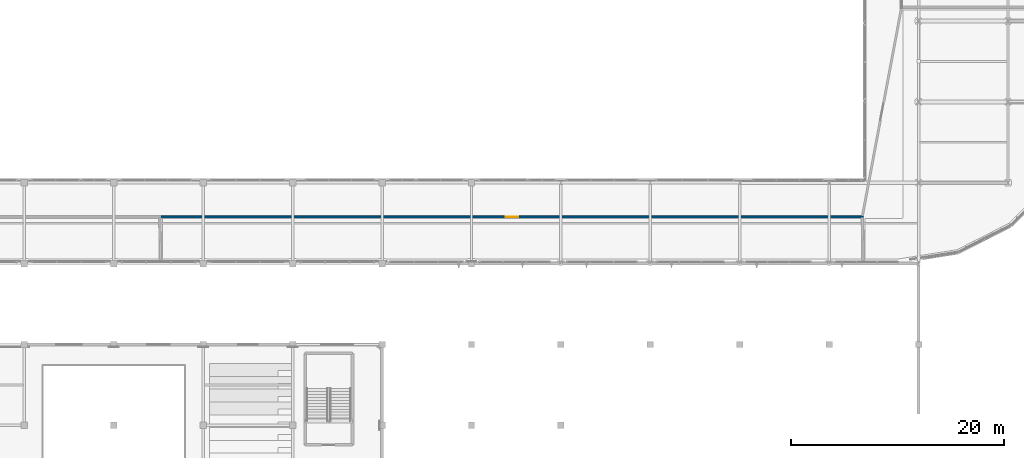
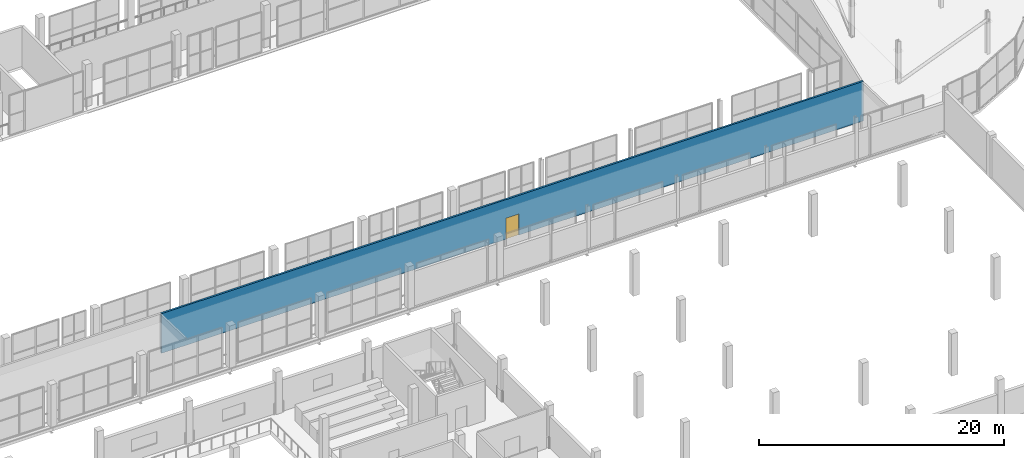
# One storey, part 130 of 151: 1 door, 1 wall, 1 opening.
"""IFC4 building model written with IfcOpenShell, lengths in metres."""

from ifc_helpers import new_model, si_unit, direction, frame, frame_2d, origin, place, context, subcontext, project, spatial, rectangle, extrude, material, layer, layer_set, type_object, element, fill, save


model = new_model("IFC4")

# Units and contexts
model_context = context("Model", 3, precision=1e-05, world=origin(), true_north=direction((0.0, 1.0)))
body_context = subcontext(model_context, "Body", "Model", "MODEL_VIEW")
ifc_project = project(units=[si_unit("LENGTHUNIT", "METRE"), si_unit("AREAUNIT", "SQUARE_METRE"), si_unit("VOLUMEUNIT", "CUBIC_METRE"), si_unit("PLANEANGLEUNIT", "RADIAN"), si_unit("MASSUNIT", "GRAM", prefix="KILO")], contexts=[model_context])

# Site, building, storey
site_placement = place(None, origin())
site = spatial("IfcSite", under=ifc_project, at=site_placement, CompositionType="ELEMENT")
building_placement = place(site_placement, origin())
building = spatial("IfcBuilding", under=site, at=building_placement, Name="Zuvorla Pavilion Media Centre", CompositionType="ELEMENT")
storey_placement = place(building_placement, frame((0.0, 0.0, 13.800048828125)))
storey = spatial("IfcBuildingStorey", under=building, at=storey_placement, Name="L03", CompositionType="ELEMENT", Elevation=13.800048828125)

# Wall, opening, door
ifc_material_1 = material(Name="Double acoustic gypsum stud partition")
ifc_layer = layer(ifc_material_1, 0.179931640625)
ifc_layer_set = layer_set([ifc_layer], Name="Double acoustic gypsum stud partition")
wall_type = type_object("IfcWallType", Name="WL-PRT-180", PredefinedType="PARTITIONING", material=ifc_layer_set)
wall_placement = place(storey_placement, frame((154.01953125, 48.39990234375, 0.0), z_axis=(0.0, 0.0, 1.0), x_axis=(-1.0, 0.0, 0.0)))
wall = element("IfcWall", 1, at=wall_placement, inside=storey, type_object=wall_type, Name="L03 partition PT18 529", PredefinedType="PARTITIONING", context=body_context, shape_type="SweptSolid", body=[
    extrude(rectangle(XDim=66.029052734375, YDim=0.179931640625, at=frame_2d((33.0146484375, 0.0))), origin(), (0.0, 0.0, 1.0), 3.949951171875),
])
opening_placement = place(wall_placement, frame((32.41455078125, 0.0, 0.0)))
opening = element("IfcOpeningElement", 2, at=opening_placement, cuts=wall, Name="Opening FD06", PredefinedType="OPENING", context=body_context, shape_type="SweptSolid", body=[
    extrude(rectangle(XDim=1.199951171875, YDim=2.10009765625, at=frame_2d((0.60009765625, 1.050048828125))), frame((0.0, 0.099853515625, 0.0), z_axis=(0.0, -1.0, 0.0), x_axis=(1.0, 0.0, 0.0)), (0.0, 0.0, 1.0), 0.199951171875),
])
ifc_material_2 = material(Name="Acoustic timber fire door leaf in steel frame", Category="steel")
door_type = type_object("IfcDoorType", Name="DR-INT-FD06", OperationType="NOTDEFINED", PredefinedType="DOOR", material=ifc_material_2)
door_placement = place(opening_placement, origin())
door = element("IfcDoor", 3, at=door_placement, inside=storey, type_object=door_type, Name="Interior door FD06 229", OperationType="SINGLE_SWING_LEFT", OverallHeight=2.10009765625, OverallWidth=1.199951171875, PredefinedType="DOOR", context=body_context, shape_type="SweptSolid", body=[
    extrude(rectangle(XDim=1.199951171875, YDim=2.10009765625, at=frame_2d((0.60009765625, 1.050048828125))), frame((0.0, 0.02490234375, 0.0), z_axis=(0.0, -1.0, 0.0), x_axis=(1.0, 0.0, 0.0)), (0.0, 0.0, 1.0), 0.050048828125),
])
fill(opening, door)

save(model, "model.ifc")
